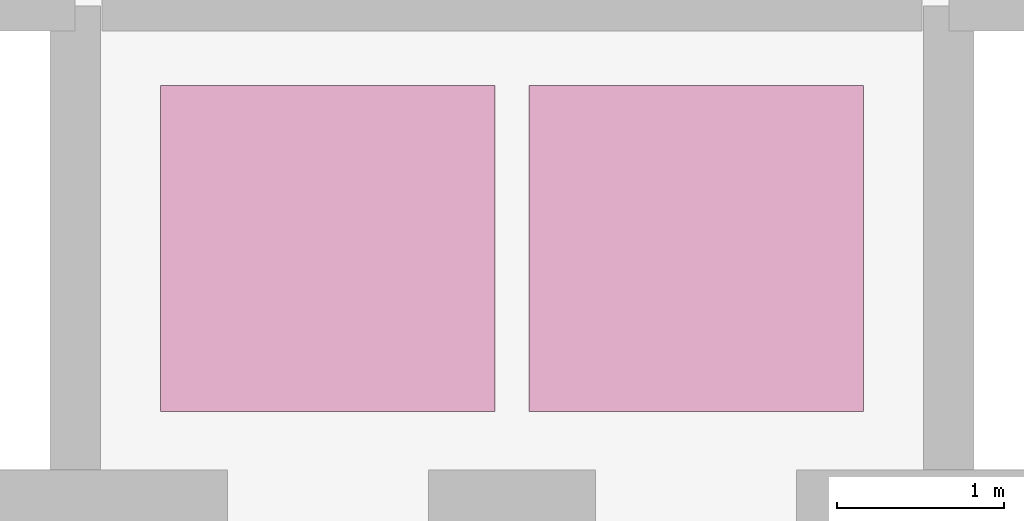
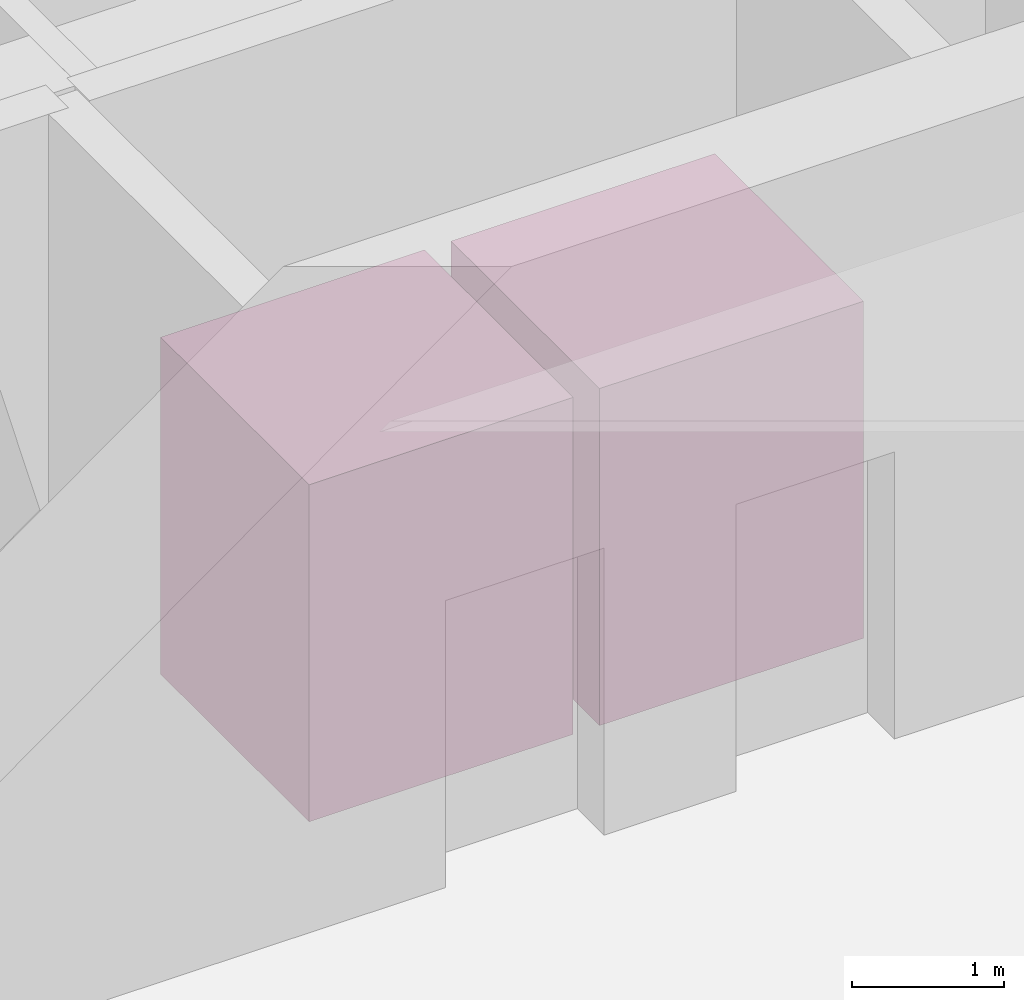
# One storey, part 12 of 12: 2 transport elements.
"""IFC4 building model written with IfcOpenShell, lengths in metres."""

from ifc_helpers import new_model, si_unit, direction, frame, origin, origin_2d, place, context, subcontext, project, spatial, rectangle, extrude, material, type_object, element, save


model = new_model("IFC4")

# Units and contexts
model_context = context("Model", 3, precision=1e-05, world=origin(), true_north=direction((0.0, 1.0)))
body_context = subcontext(model_context, "Body", "Model", "MODEL_VIEW")
ifc_project = project(units=[si_unit("LENGTHUNIT", "METRE"), si_unit("AREAUNIT", "SQUARE_METRE"), si_unit("VOLUMEUNIT", "CUBIC_METRE"), si_unit("PLANEANGLEUNIT", "RADIAN"), si_unit("MASSUNIT", "GRAM", prefix="KILO")], contexts=[model_context])

# Site, building, storey
site_placement = place(None, origin())
site = spatial("IfcSite", under=ifc_project, at=site_placement, CompositionType="ELEMENT")
building_placement = place(site_placement, origin())
building = spatial("IfcBuilding", under=site, at=building_placement, Name="Punatoya Terracotta Tower", CompositionType="ELEMENT")
storey_placement = place(building_placement, frame((0.0, 0.0, -4.800048828125)))
storey = spatial("IfcBuildingStorey", under=building, at=storey_placement, Name="B1", CompositionType="ELEMENT", Elevation=-4.800048828125)

# Transport elements
ifc_material = material(Name="Brushed Stainless Steel Car Assembly", Category="steel")
transport_element_type = type_object("IfcTransportElementType", Name="LFT-PAS", PredefinedType="ELEVATOR", material=ifc_material)
for number, where, z_axis, x_axis, name in (
    (1, (-1.10009765625, -7.5, 0.0), (0.0, 0.0, 1.0), (1.0, 0.0, 0.0), "Elevator OB-1 Car (B1-L80)"),
    (2, (1.10009765625, -7.5, 0.0), (0.0, 0.0, 1.0), (1.0, 0.0, 0.0), "Elevator OB-2 Car (B1-L80)"),
):
    element("IfcTransportElement", number, at=place(storey_placement, frame(where, z_axis=z_axis, x_axis=x_axis)), inside=storey, type_object=transport_element_type, Name=name, PredefinedType="ELEVATOR", context=body_context, shape_type="SweptSolid", body=[
        extrude(rectangle(XDim=2.0, YDim=1.949951171875, at=origin_2d()), origin(), (0.0, 0.0, 1.0), 2.699951171875),
    ])

save(model, "model.ifc")
